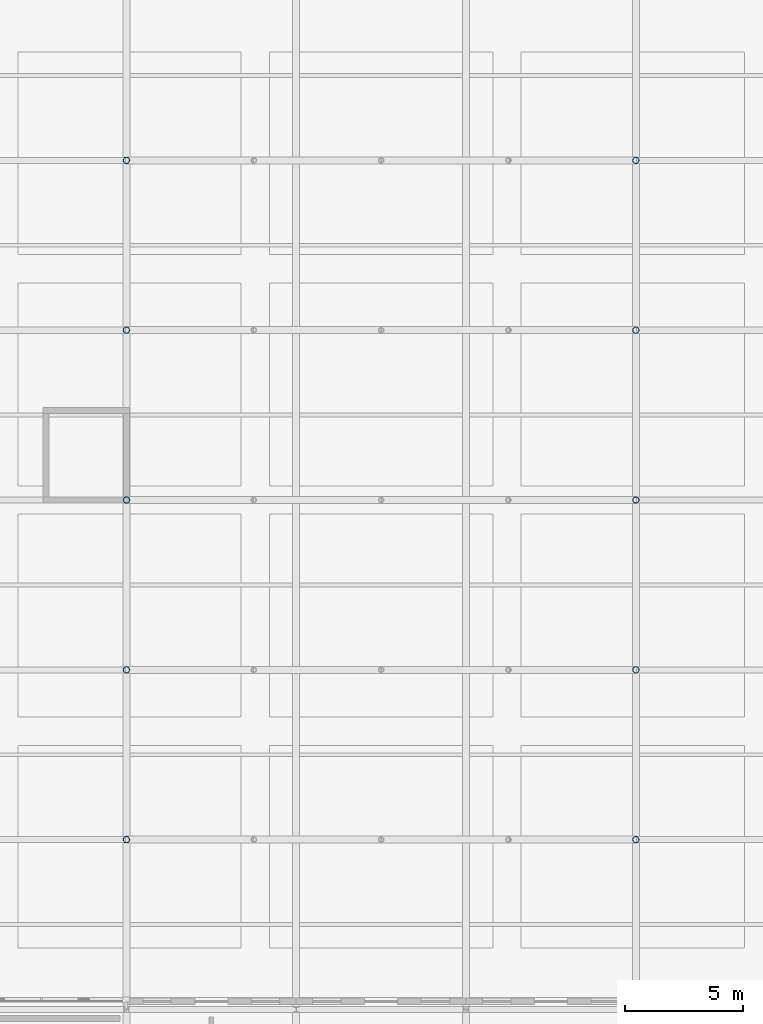
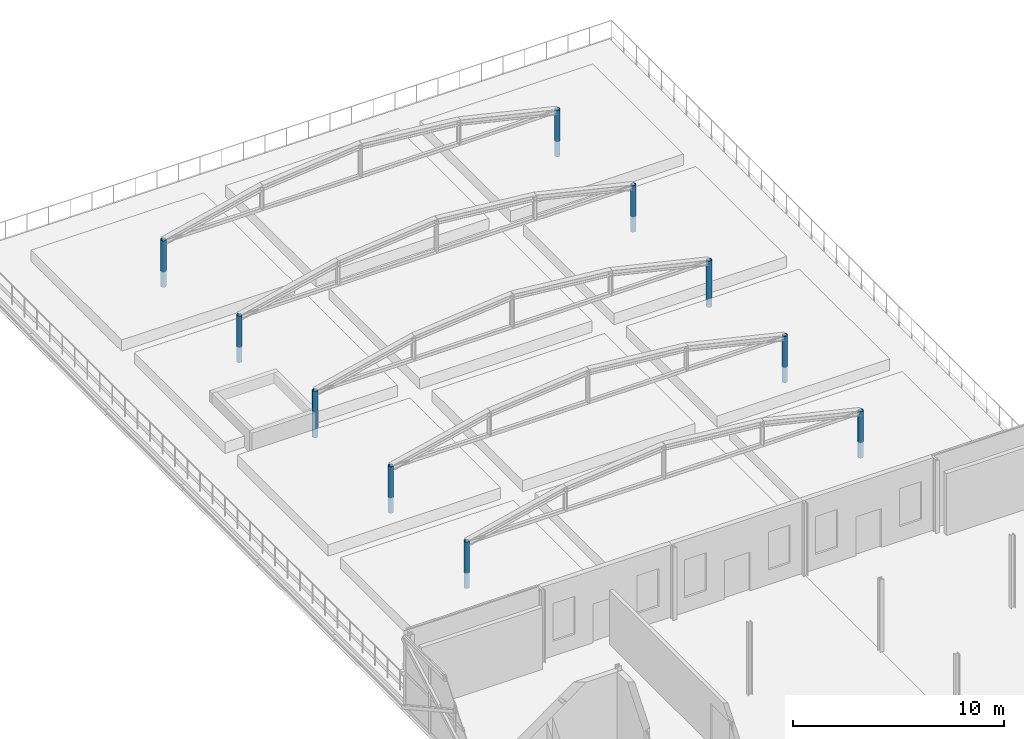
# One storey, part 18 of 126: 10 columns.
"""IFC4 building model written with IfcOpenShell, lengths in metres."""

import ifcopenshell
import ifcopenshell.guid

model = None  # the IFC model being written
_history = None  # IfcOwnerHistory: only IFC2X3 demands one
_inside = {}  # id of a spatial element -> (the spatial element, [elements in it])
_under = {}  # id of a project, library or spatial element -> (it, [spatial elements below it])
_declared = {}  # id of a project -> (the project, [libraries it declares])
_typed = {}  # id of a type object -> (the type object, [elements of that type])
_made_of = {}  # id of a material, layer set ... -> (it, [elements and type objects made of it])


def new_model(schema):
    """Start an empty IFC model of exactly this schema.

    Asked for "IFC4X3", IfcOpenShell would pick the latest addendum, in which some entities
    have other attributes; the version numbers below select the first issue.
    IFC2X3 requires an IfcOwnerHistory on every rooted entity: one is made here for all.
    """
    global model, _history
    if schema == "IFC4X3":
        model = ifcopenshell.file(schema_version=(4, 3, 0, 0))
    else:
        model = ifcopenshell.file(schema=schema)
    _inside.clear()
    _under.clear()
    _declared.clear()
    _typed.clear()
    _made_of.clear()
    _history = None
    if model.schema == "IFC2X3":
        org = make("IfcOrganization", Name="unknown")
        user = make(
            "IfcPersonAndOrganization",
            ThePerson=make("IfcPerson", FamilyName="unknown"),
            TheOrganization=org,
        )
        app = make(
            "IfcApplication",
            ApplicationDeveloper=org,
            Version="unknown",
            ApplicationFullName="unknown",
            ApplicationIdentifier="unknown",
        )
        _history = make(
            "IfcOwnerHistory",
            OwningUser=user,
            OwningApplication=app,
            ChangeAction="ADDED",
            CreationDate=0,
        )
    return model


def make(cls, **values):
    """One entity of the class cls with the attributes given. An attribute that is None is left unset."""
    return model.create_entity(
        cls, **{name: value for name, value in values.items() if value is not None}
    )


def rooted(cls, **values):
    """An entity with a GlobalId (a new one), such as an element, a storey or a relation."""
    return make(cls, GlobalId=ifcopenshell.guid.new(), OwnerHistory=_history, **values)


def si_unit(unit_type, name, prefix=None):
    """IfcSIUnit, for example si_unit("LENGTHUNIT", "METRE", prefix="MILLI")."""
    return make("IfcSIUnit", UnitType=unit_type, Prefix=prefix, Name=name)


def assignment(units):
    """IfcUnitAssignment: the units of a project."""
    return None if units is None else make("IfcUnitAssignment", Units=units)


def point(xyz):
    """IfcCartesianPoint."""
    return None if xyz is None else make("IfcCartesianPoint", Coordinates=xyz)


def direction(xyz):
    """IfcDirection."""
    return None if xyz is None else make("IfcDirection", DirectionRatios=xyz)


def frame(location, z_axis=None, x_axis=None):
    """IfcAxis2Placement3D, a coordinate frame: its origin and axes. An axis left out is left unset."""
    return make(
        "IfcAxis2Placement3D",
        Location=point(location),
        Axis=direction(z_axis),
        RefDirection=direction(x_axis),
    )


def frame_2d(location, x_axis=None):
    """IfcAxis2Placement2D, a coordinate frame in the plane: its origin and x axis."""
    return make(
        "IfcAxis2Placement2D", Location=point(location), RefDirection=direction(x_axis)
    )


def origin():
    """The frame at (0, 0, 0) with its axes left unset."""
    return frame((0.0, 0.0, 0.0))


def origin_2d():
    """The frame at (0, 0) in the plane with its x axis left unset."""
    return frame_2d((0.0, 0.0))


def place(relative_to, where):
    """IfcLocalPlacement: puts the frame where relative to a parent placement (None: the world)."""
    return make(
        "IfcLocalPlacement", PlacementRelTo=relative_to, RelativePlacement=where
    )


def context(
    kind, dimensions, precision=None, world=None, true_north=None, identifier=None
):
    """IfcGeometricRepresentationContext, for example the 3D "Model" context."""
    return make(
        "IfcGeometricRepresentationContext",
        ContextIdentifier=identifier,
        ContextType=kind,
        CoordinateSpaceDimension=dimensions,
        Precision=precision,
        WorldCoordinateSystem=world,
        TrueNorth=true_north,
    )


def subcontext(parent, identifier, kind, view, scale=None):
    """IfcGeometricRepresentationSubContext, for example "Body" below "Model"."""
    return make(
        "IfcGeometricRepresentationSubContext",
        ContextIdentifier=identifier,
        ContextType=kind,
        ParentContext=parent,
        TargetScale=scale,
        TargetView=view,
    )


def project(units=None, contexts=None):
    """IfcProject with its units and contexts."""
    return rooted(
        "IfcProject",
        Name="project",
        RepresentationContexts=contexts,
        UnitsInContext=assignment(units),
    )


def spatial(cls, under=None, at=None, **own):
    """A site, building, storey or space (cls), placed at a placement, below another one or the project."""
    s = rooted(cls, ObjectPlacement=at, **own)
    if under is not None:
        _under.setdefault(under.id(), (under, []))[1].append(s)
    return s


def profile(cls, at=None, kind="AREA", **sizes):
    """A parametric profile (cls). Its sizes go by their IFC names, for example OverallWidth=200.0."""
    return make(cls, ProfileType=kind, Position=at, **sizes)


def hollow_circle(**sizes):
    """IfcCircleHollowProfileDef."""
    return profile("IfcCircleHollowProfileDef", **sizes)


def extrude(swept, where, along, depth):
    """IfcExtrudedAreaSolid: the profile swept, set in the frame where, extruded along a direction by depth."""
    return make(
        "IfcExtrudedAreaSolid",
        SweptArea=swept,
        Position=where,
        ExtrudedDirection=direction(along),
        Depth=depth,
    )


def shape(context_of_items, identifier, shape_type, items):
    """IfcShapeRepresentation: the items that make up one representation, for example the "Body"."""
    return make(
        "IfcShapeRepresentation",
        ContextOfItems=context_of_items,
        RepresentationIdentifier=identifier,
        RepresentationType=shape_type,
        Items=items,
    )


def material(Name=None, Category=None):
    """IfcMaterial."""
    return make("IfcMaterial", Name=Name, Category=Category)


def material_profile(
    of_material, cross_section, Name=None, Category=None, Priority=None
):
    """IfcMaterialProfile: a cross section and its material."""
    return make(
        "IfcMaterialProfile",
        Name=Name,
        Material=of_material,
        Profile=cross_section,
        Priority=Priority,
        Category=Category,
    )


def profile_set(profiles, Name=None, composite=None):
    """IfcMaterialProfileSet."""
    return make(
        "IfcMaterialProfileSet",
        Name=Name,
        MaterialProfiles=profiles,
        CompositeProfile=composite,
    )


def made_of(thing, what):
    """Note that an element or type object is made of a material, layer set ...; save() writes the relation."""
    if what is not None:
        _made_of.setdefault(what.id(), (what, []))[1].append(thing)
    return thing


def type_object(cls, material=None, **own):
    """A type object (cls), such as IfcWallType, which elements share."""
    return made_of(rooted(cls, **own), material)


def element(
    cls,
    number,
    at=None,
    inside=None,
    cuts=None,
    type_object=None,
    material=None,
    context=None,
    identifier="Body",
    shape_type=None,
    held_by="IfcProductDefinitionShape",
    body=None,
    shapes=None,
    **own,
):
    """One element of the class cls, such as IfcWall. Its Tag is "e" and its number.

    at: its placement. inside: the storey or other place that contains it. cuts: it is an
    opening in that element (IfcRelVoidsElement). A single representation is given by context,
    identifier, shape_type and body (its items); several are given by shapes. held_by: the class
    of the entity that holds the representations. save() writes the other relations.
    """
    e = rooted(cls, Tag="e%d" % number, ObjectPlacement=at, **own)
    if body is not None:
        shapes = [shape(context, identifier, shape_type, body)]
    if shapes is not None:
        e.Representation = make(held_by, Representations=shapes)
    if inside is not None:
        _inside.setdefault(inside.id(), (inside, []))[1].append(e)
    if cuts is not None:
        rooted(
            "IfcRelVoidsElement", RelatingBuildingElement=cuts, RelatedOpeningElement=e
        )
    if type_object is not None:
        _typed.setdefault(type_object.id(), (type_object, []))[1].append(e)
    return made_of(e, material)


def aggregate(whole, parts):
    """IfcRelAggregates: a whole, such as a stair, and the parts it consists of."""
    return rooted("IfcRelAggregates", RelatingObject=whole, RelatedObjects=parts)


def save(model, path):
    """Write the relations noted so far, then the file.

    IfcRelAggregates (storeys below a building ...), IfcRelContainedInSpatialStructure (elements
    in a storey), IfcRelDefinesByType, IfcRelAssociatesMaterial and IfcRelDeclares: one each for
    every whole, place, type object, material and project.
    """
    for whole, parts in _under.values():
        aggregate(whole, parts)
    for where, things in _inside.values():
        rooted(
            "IfcRelContainedInSpatialStructure",
            RelatedElements=things,
            RelatingStructure=where,
        )
    for kind, things in _typed.values():
        rooted("IfcRelDefinesByType", RelatedObjects=things, RelatingType=kind)
    for what, things in _made_of.values():
        rooted("IfcRelAssociatesMaterial", RelatedObjects=things, RelatingMaterial=what)
    for by, libraries in _declared.values():
        rooted("IfcRelDeclares", RelatingContext=by, RelatedDefinitions=libraries)
    model.write(path)


model = new_model("IFC4")

# Units and contexts
model_context = context("Model", 3, precision=1e-05, world=origin(), true_north=direction((0.0, 1.0)))
body_context = subcontext(model_context, "Body", "Model", "MODEL_VIEW")
ifc_project = project(units=[si_unit("LENGTHUNIT", "METRE"), si_unit("AREAUNIT", "SQUARE_METRE"), si_unit("VOLUMEUNIT", "CUBIC_METRE"), si_unit("PLANEANGLEUNIT", "RADIAN"), si_unit("MASSUNIT", "GRAM", prefix="KILO")], contexts=[model_context])

# Site, building, storey
site_placement = place(None, origin())
site = spatial("IfcSite", under=ifc_project, at=site_placement, CompositionType="ELEMENT")
building_placement = place(site_placement, origin())
building = spatial("IfcBuilding", under=site, at=building_placement, Name="Zlatovets Crest Museum", CompositionType="ELEMENT")
storey_placement = place(building_placement, frame((0.0, 0.0, 8.699951171875)))
storey = spatial("IfcBuildingStorey", under=building, at=storey_placement, Name="L02", CompositionType="ELEMENT", Elevation=8.699951171875)

# Columns
ifc_material = material(Name="Structural steel S355J2", Category="steel")
ifc_material_profile = material_profile(ifc_material, hollow_circle(Radius=0.136474609375, WallThickness=0.012451171875, at=origin_2d()), Name="CHS 273.0x12.5")
ifc_profile_set = profile_set([ifc_material_profile], Name="Structural steel S355J2")
column_type = type_object("IfcColumnType", Name="Col_C-14", PredefinedType="COLUMN", material=ifc_profile_set)
for number, where, z_axis, x_axis, name in (
    (1, (136.800048828125, 64.800048828125, 0.0), (0.0, 0.0, 1.0), (1.0, 0.0, 0.0), "Botanical Roof-Garden Pergola Column"),
    (2, (158.39990234375, 64.800048828125, 0.0), (0.0, 0.0, 1.0), (1.0, 0.0, 0.0), "Botanical Roof-Garden Pergola Column"),
    (3, (136.800048828125, 72.0, 0.0), (0.0, 0.0, 1.0), (1.0, 0.0, 0.0), "Botanical Roof-Garden Pergola Column"),
    (4, (158.39990234375, 72.0, 0.0), (0.0, 0.0, 1.0), (1.0, 0.0, 0.0), "Botanical Roof-Garden Pergola Column"),
    (5, (136.800048828125, 79.199951171875, 0.0), (0.0, 0.0, 1.0), (1.0, 0.0, 0.0), "Botanical Roof-Garden Pergola Column"),
    (6, (158.39990234375, 79.199951171875, 0.0), (0.0, 0.0, 1.0), (1.0, 0.0, 0.0), "Botanical Roof-Garden Pergola Column"),
    (7, (136.800048828125, 86.39990234375, 0.0), (0.0, 0.0, 1.0), (1.0, 0.0, 0.0), "Botanical Roof-Garden Pergola Column"),
    (8, (158.39990234375, 86.39990234375, 0.0), (0.0, 0.0, 1.0), (1.0, 0.0, 0.0), "Botanical Roof-Garden Pergola Column"),
    (9, (136.800048828125, 93.60009765625, 0.0), (0.0, 0.0, 1.0), (1.0, 0.0, 0.0), "Botanical Roof-Garden Pergola Column"),
    (10, (158.39990234375, 93.60009765625, 0.0), (0.0, 0.0, 1.0), (1.0, 0.0, 0.0), "Botanical Roof-Garden Pergola Column"),
):
    element("IfcColumn", number, at=place(storey_placement, frame(where, z_axis=z_axis, x_axis=x_axis)), inside=storey, type_object=column_type, Name=name, PredefinedType="COLUMN", context=body_context, shape_type="SweptSolid", body=[
        extrude(hollow_circle(Radius=0.136474609375, WallThickness=0.012451171875, at=origin_2d()), origin(), (0.0, 0.0, 1.0), 2.699951171875),
    ])

save(model, "model.ifc")
